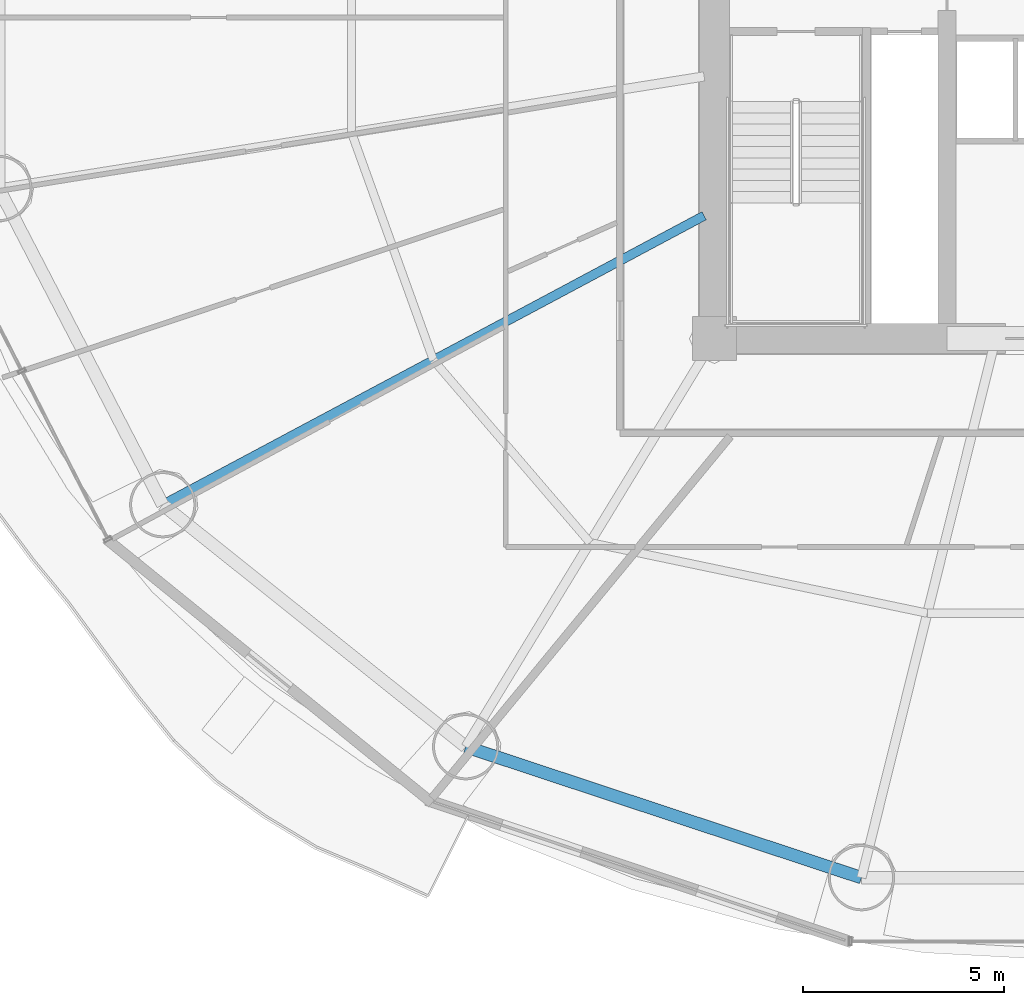
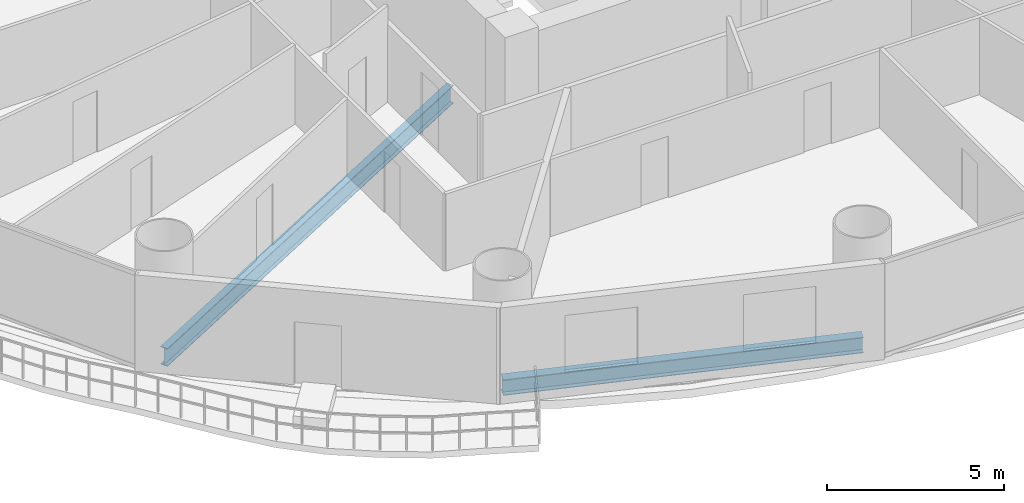
# One storey, part 3 of 29: 2 beams.
"""IFC4 building model written with IfcOpenShell, lengths in metres."""

from ifc_helpers import new_model, si_unit, direction, frame, origin, origin_2d, place, context, subcontext, project, spatial, i_section, extrude, material, material_profile, profile_set, type_object, element, save


model = new_model("IFC4")

# Units and contexts
model_context = context("Model", 3, precision=1e-05, world=origin(), true_north=direction((-0.2419218956, 0.970295726276)))
body_context = subcontext(model_context, "Body", "Model", "MODEL_VIEW")
ifc_project = project(units=[si_unit("LENGTHUNIT", "METRE"), si_unit("AREAUNIT", "SQUARE_METRE"), si_unit("VOLUMEUNIT", "CUBIC_METRE"), si_unit("PLANEANGLEUNIT", "RADIAN"), si_unit("MASSUNIT", "GRAM", prefix="KILO")], contexts=[model_context])

# Site, building, storey
site_placement = place(None, origin())
site = spatial("IfcSite", under=ifc_project, at=site_placement, CompositionType="ELEMENT")
building_placement = place(site_placement, origin())
building = spatial("IfcBuilding", under=site, at=building_placement, Name="Cobrevalo Terracotta Tower", CompositionType="ELEMENT")
storey_placement = place(building_placement, frame((0.0, 0.0, 49.199951171875)))
storey = spatial("IfcBuildingStorey", under=building, at=storey_placement, Name="L12", CompositionType="ELEMENT", Elevation=49.199951171875)

# Beams
ifc_material = material(Name="Steel S355", Category="steel")
ifc_material_profile_1 = material_profile(ifc_material, i_section(OverallWidth=0.22998046875, OverallDepth=0.616943359375, WebThickness=0.01318359375, FlangeThickness=0.022216796875, at=origin_2d()), Name="W 610x140")
ifc_profile_set_1 = profile_set([ifc_material_profile_1], Name="Steel S355")
beam_type_1 = type_object("IfcBeamType", Name="Structural Beam W 610x140 (Steel S355)", PredefinedType="BEAM", material=ifc_profile_set_1)
beam_1_placement = place(storey_placement, frame((15.25927734375, 14.660888671875, -0.58837890625), z_axis=(0.88218223571, 0.470908168329, 0.0), x_axis=(-0.470908168329, 0.88218223571, 0.0)))
element("IfcBeam", 1, at=beam_1_placement, inside=storey, type_object=beam_type_1, Name="L12 radial floor girder 10", PredefinedType="BEAM", context=body_context, shape_type="SweptSolid", body=[
    extrude(i_section(OverallWidth=0.22998046875, OverallDepth=0.616943359375, WebThickness=0.01318359375, FlangeThickness=0.022216796875, at=origin_2d()), origin(), (0.0, 0.0, 1.0), 15.286865234375),
])
ifc_material_profile_2 = material_profile(ifc_material, i_section(OverallWidth=0.31201171875, OverallDepth=0.54296875, WebThickness=0.0126953125, FlangeThickness=0.020263671875, at=origin_2d()), Name="W 530x150")
ifc_profile_set_2 = profile_set([ifc_material_profile_2], Name="Steel S355")
beam_type_2 = type_object("IfcBeamType", Name="Structural Spandrel W 530x150 (Steel S355)", PredefinedType="SPANDREL", material=ifc_profile_set_2)
beam_2_placement = place(storey_placement, frame((22.80517578125, 8.63232421875, -0.551513671875), z_axis=(0.949372202648, -0.314153498848, 0.0), x_axis=(0.314153498848, 0.949372202648, 0.0)))
element("IfcBeam", 2, at=beam_2_placement, inside=storey, type_object=beam_type_2, Name="L12 perimeter ring spandrel 11", PredefinedType="SPANDREL", context=body_context, shape_type="SweptSolid", body=[
    extrude(i_section(OverallWidth=0.31201171875, OverallDepth=0.54296875, WebThickness=0.0126953125, FlangeThickness=0.020263671875, at=origin_2d()), origin(), (0.0, 0.0, 1.0), 10.385009765625),
])

save(model, "model.ifc")
